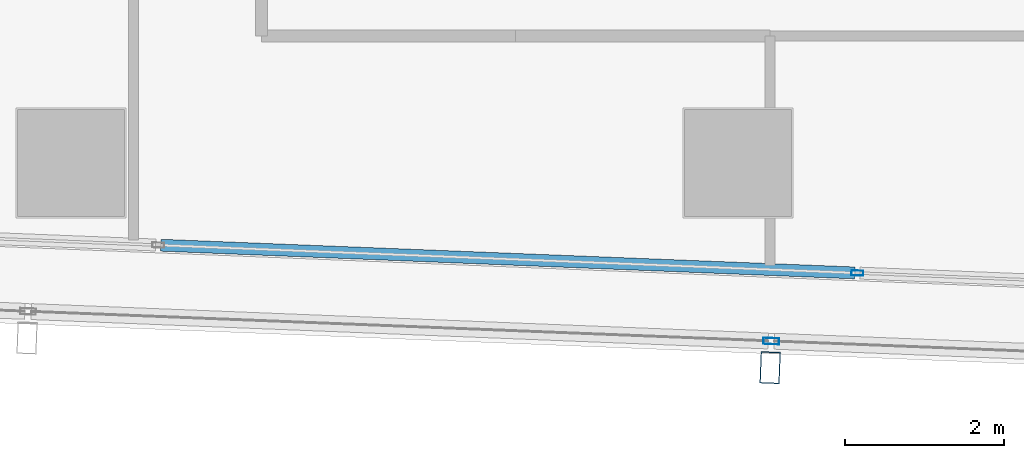
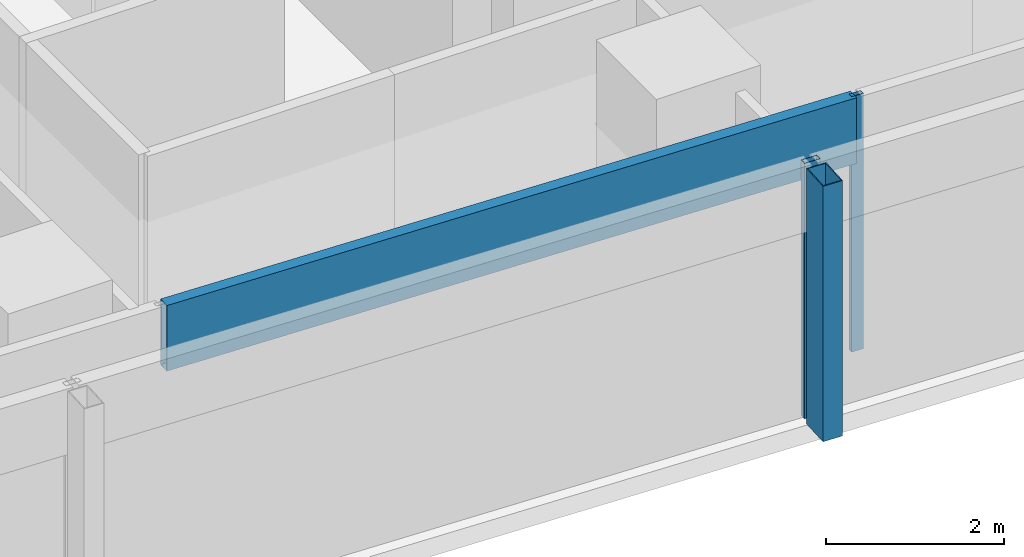
# One storey, part 6 of 33: 4 members, 2 elements without a shape of their own.
"""IFC4 building model written with IfcOpenShell, lengths in metres."""

from ifc_helpers import new_model, si_unit, direction, frame, origin, origin_2d, place, context, subcontext, project, spatial, hollow_rectangle, extrude, material, material_profile, profile_set, type_object, element, aggregate, save


model = new_model("IFC4")

# Units and contexts
model_context = context("Model", 3, precision=1e-05, world=origin(), true_north=direction((0.0, 1.0)))
body_context = subcontext(model_context, "Body", "Model", "MODEL_VIEW")
ifc_project = project(units=[si_unit("LENGTHUNIT", "METRE"), si_unit("AREAUNIT", "SQUARE_METRE"), si_unit("VOLUMEUNIT", "CUBIC_METRE"), si_unit("PLANEANGLEUNIT", "RADIAN"), si_unit("MASSUNIT", "GRAM", prefix="KILO")], contexts=[model_context])

# Site, building, storey
site_placement = place(None, origin())
site = spatial("IfcSite", under=ifc_project, at=site_placement, CompositionType="ELEMENT")
building_placement = place(site_placement, origin())
building = spatial("IfcBuilding", under=site, at=building_placement, Name="Rekha Terrace Tower", CompositionType="ELEMENT")
storey_placement = place(building_placement, frame((0.0, 0.0, 206.449951171875)))
storey = spatial("IfcBuildingStorey", under=building, at=storey_placement, Name="L52", CompositionType="ELEMENT", Elevation=206.449951171875)

# Curtain wall, member
ifc_material_1 = material(Name="Aluminium framing", Category="aluminium")
curtain_wall_type_1 = type_object("IfcCurtainWallType", Name="CW2 double skin outer glazing", PredefinedType="USERDEFINED", material=ifc_material_1)
curtain_wall_1_placement = place(storey_placement, origin())
curtain_wall_1 = element("IfcCurtainWall", 1, at=curtain_wall_1_placement, inside=storey, type_object=curtain_wall_type_1, Name="CW2 double skin outer glazing", ObjectType="DOUBLE SKIN OUTER GLAZING", PredefinedType="USERDEFINED")
ifc_material_2 = material(Name="Steel S355 with fluorocarbon finish", Category="steel")
ifc_material_profile_1 = material_profile(ifc_material_2, hollow_rectangle(XDim=0.25, YDim=0.39990234375, WallThickness=0.012451171875, at=origin_2d()), Name="RHS400x250x12.5")
ifc_profile_set_1 = profile_set([ifc_material_profile_1], Name="Steel S355 with fluorocarbon finish")
member_type_1 = type_object("IfcMemberType", Name="BL1 facade blade RHS 400 x 250", PredefinedType="USERDEFINED", material=ifc_profile_set_1)
member_1_placement = place(storey_placement, frame((25.60498046875, 14.222412109375, 0.0), z_axis=(0.0, 0.0, 1.0), x_axis=(0.999204797763, -0.039871946621, 0.0)))
member_1 = element("IfcMember", 2, at=member_1_placement, type_object=member_type_1, Name="Facade blade", ObjectType="FACADE BLADE", PredefinedType="USERDEFINED", context=body_context, shape_type="SweptSolid", body=[
    extrude(hollow_rectangle(XDim=0.25, YDim=0.39990234375, WallThickness=0.012451171875, at=origin_2d()), origin(), (0.0, 0.0, 1.0), 3.5),
])

# Curtain wall, members
curtain_wall_type_2 = type_object("IfcCurtainWallType", Name="CW1 double skin inner glazing", PredefinedType="USERDEFINED", material=ifc_material_1)
curtain_wall_2_placement = place(storey_placement, origin())
curtain_wall_2 = element("IfcCurtainWall", 3, at=curtain_wall_2_placement, inside=storey, type_object=curtain_wall_type_2, Name="CW1 double skin inner glazing", ObjectType="DOUBLE SKIN INNER GLAZING", PredefinedType="USERDEFINED")
ifc_material_3 = material(Name="Aluminium mullion section", Category="aluminium")
ifc_material_profile_2 = material_profile(ifc_material_3, hollow_rectangle(XDim=0.06494140625, YDim=0.14990234375, WallThickness=0.00390625, at=origin_2d()), Name="AL RHS 65x150")
ifc_profile_set_2 = profile_set([ifc_material_profile_2], Name="Aluminium mullion section")
member_type_2 = type_object("IfcMemberType", Name="CW1 mullion RHS 65 x 150", PredefinedType="MULLION", material=ifc_profile_set_2)
member_2_placement = place(storey_placement, frame((26.703369140625, 15.41455078125, 0.0), z_axis=(0.0, 0.0, 1.0), x_axis=(0.039872497061, 0.999204775798, 0.0)))
member_2 = element("IfcMember", 4, at=member_2_placement, type_object=member_type_2, Name="CW1 mullion 3", PredefinedType="MULLION", context=body_context, shape_type="SweptSolid", body=[
    extrude(hollow_rectangle(XDim=0.06494140625, YDim=0.14990234375, WallThickness=0.00390625, at=origin_2d()), origin(), (0.0, 0.0, 1.0), 3.5),
])
ifc_material_4 = material(Name="Insulated aluminium spandrel box", Category="aluminium")
ifc_material_profile_3 = material_profile(ifc_material_4, hollow_rectangle(XDim=0.14990234375, YDim=0.89990234375, WallThickness=0.0029296875, at=origin_2d()), Name="AL SPANDREL BOX 150x900")
ifc_profile_set_3 = profile_set([ifc_material_profile_3], Name="Insulated aluminium spandrel box")
member_type_3 = type_object("IfcMemberType", Name="CW1 spandrel transom 150 x 900", PredefinedType="USERDEFINED", material=ifc_profile_set_3)
member_3_placement = place(storey_placement, frame((17.931396484375, 15.7646484375, 3.050048828125), z_axis=(0.999205278064, -0.039859908291, 0.0), x_axis=(0.039859908291, 0.999205278064, 0.0)))
member_3 = element("IfcMember", 5, at=member_3_placement, type_object=member_type_3, Name="CW1 spandrel transom 2", ObjectType="TRANSOM", PredefinedType="USERDEFINED", context=body_context, shape_type="SweptSolid", body=[
    extrude(hollow_rectangle(XDim=0.14990234375, YDim=0.89990234375, WallThickness=0.0029296875, at=origin_2d()), origin(), (0.0, 0.0, 1.0), 8.746337890625),
])
aggregate(curtain_wall_2, [member_2, member_3])

# Member
ifc_material_profile_4 = material_profile(ifc_material_3, hollow_rectangle(XDim=0.080078125, YDim=0.199951171875, WallThickness=0.00390625, at=origin_2d()), Name="AL RHS 80x200")
ifc_profile_set_4 = profile_set([ifc_material_profile_4], Name="Aluminium mullion section")
member_type_4 = type_object("IfcMemberType", Name="CW2 mullion RHS 80 x 200", PredefinedType="MULLION", material=ifc_profile_set_4)
member_4_placement = place(storey_placement, frame((25.618408203125, 14.55712890625, 0.0), z_axis=(0.0, 0.0, 1.0), x_axis=(0.039872497044, 0.999204775799, 0.0)))
member_4 = element("IfcMember", 6, at=member_4_placement, type_object=member_type_4, Name="CW2 mullion 3", PredefinedType="MULLION", context=body_context, shape_type="SweptSolid", body=[
    extrude(hollow_rectangle(XDim=0.080078125, YDim=0.199951171875, WallThickness=0.00390625, at=origin_2d()), origin(), (0.0, 0.0, 1.0), 3.5),
])

aggregate(curtain_wall_1, [member_4, member_1])

save(model, "model.ifc")
